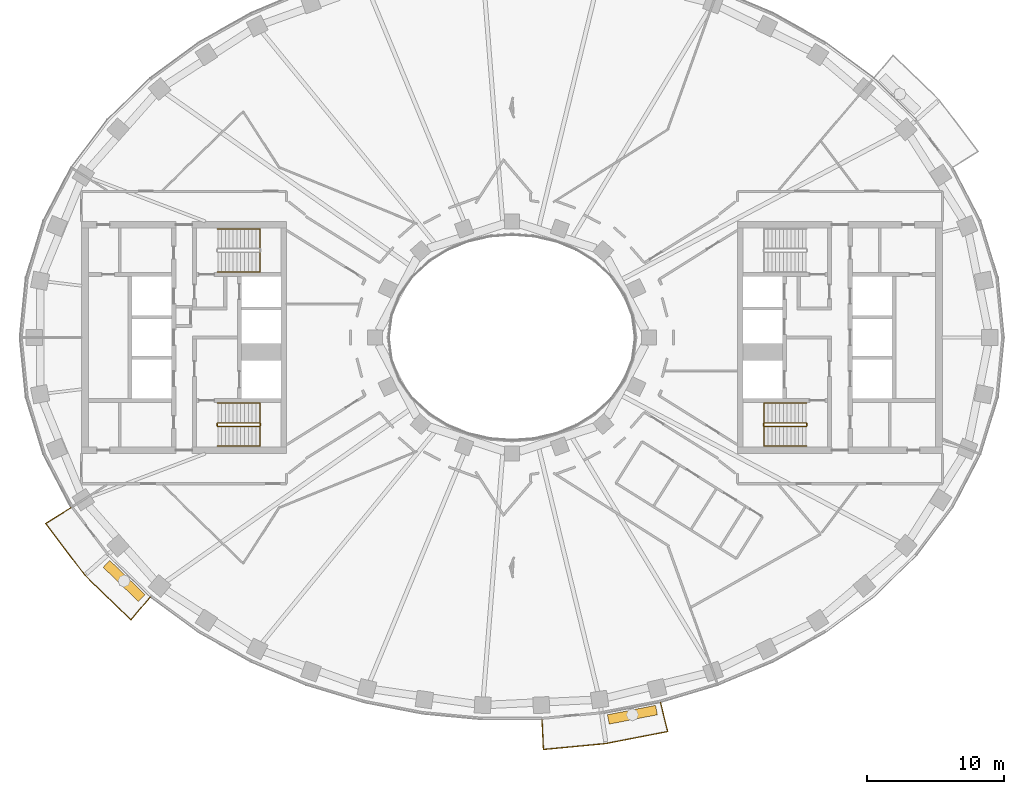
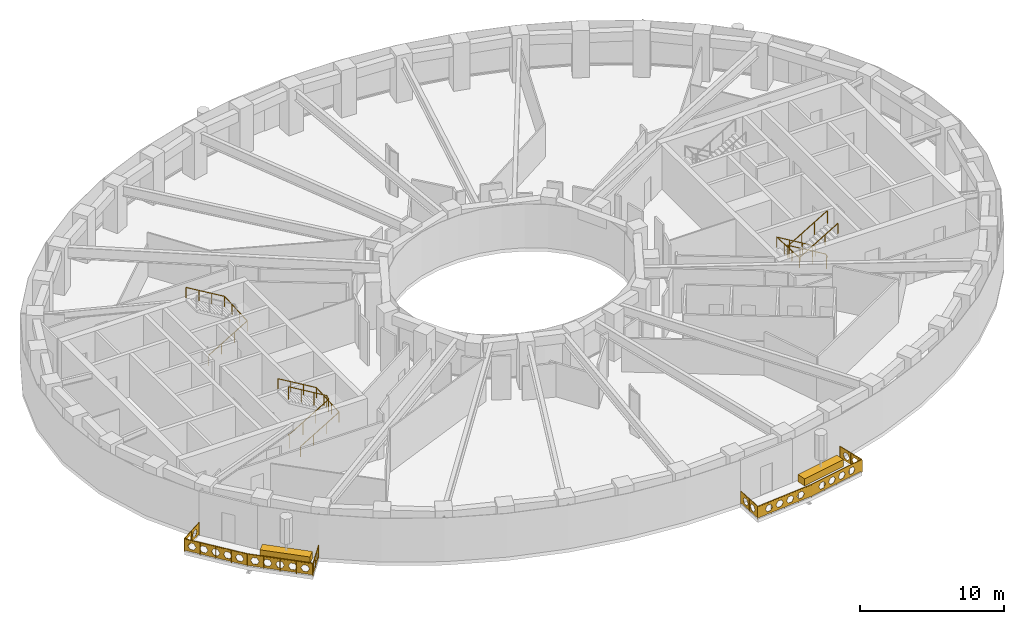
# One storey, part 14 of 16: 7 railings, 2 coverings.
"""IFC4 building model written with IfcOpenShell, lengths in metres."""

from ifc_helpers import new_model, si_unit, direction, frame, origin, origin_2d, place, context, subcontext, project, spatial, polyline, rectangle, outline, extrude, material, type_object, element, save


model = new_model("IFC4")

# Units and contexts
model_context = context("Model", 3, precision=1e-05, world=origin(), true_north=direction((0.0, 1.0)))
body_context = subcontext(model_context, "Body", "Model", "MODEL_VIEW")
ifc_project = project(units=[si_unit("LENGTHUNIT", "METRE"), si_unit("AREAUNIT", "SQUARE_METRE"), si_unit("VOLUMEUNIT", "CUBIC_METRE"), si_unit("PLANEANGLEUNIT", "RADIAN"), si_unit("MASSUNIT", "GRAM", prefix="KILO")], contexts=[model_context])

# Site, building, storey
site_placement = place(None, origin())
site = spatial("IfcSite", under=ifc_project, at=site_placement, CompositionType="ELEMENT")
building_placement = place(site_placement, origin())
building = spatial("IfcBuilding", under=site, at=building_placement, Name="Noorbagh Ring Tower", CompositionType="ELEMENT")
storey_placement = place(building_placement, frame((0.0, 0.0, 162.0)))
storey = spatial("IfcBuildingStorey", under=building, at=storey_placement, Name="L37", CompositionType="ELEMENT", Elevation=162.0)

# Railings
ifc_material_1 = material(Name="Stainless steel", Category="steel")
railing_type_1 = type_object("IfcRailingType", Name="CORE-STAIR-GUARD", PredefinedType="GUARDRAIL", material=ifc_material_1)
railing_1_placement = place(storey_placement, frame((-21.580078125, -6.449951171875, 0.0)))
element("IfcRailing", 1, at=railing_1_placement, inside=storey, type_object=railing_type_1, Name="L37 ST2 stair guard", PredefinedType="GUARDRAIL", context=body_context, shape_type="SweptSolid", body=[
    extrude(rectangle(XDim=0.048095703125, YDim=0.048095703125, at=origin_2d()), frame((0.0, 0.0, 1.076171875), z_axis=(0.0, 1.0, 0.0), x_axis=(-1.0, 0.0, 0.0)), (0.0, 0.0, 1.0), 0.14990234375),
    extrude(rectangle(XDim=0.048095703125, YDim=0.048095703125, at=origin_2d()), frame((0.0, 0.14990234375, 1.076171875), z_axis=(0.188775798145, -0.754182335027, 0.628945707965), x_axis=(0.970072785993, 0.242814311512, 0.0)), (0.0, 0.0, 1.0), 0.26513671875),
    extrude(rectangle(XDim=0.048095703125, YDim=0.048095703125, at=origin_2d()), frame((0.050048828125, -0.050048828125, 1.24267578125), z_axis=(0.859308565015, 0.0, 0.511457515432), x_axis=(0.0, 1.0, 0.0)), (0.0, 0.0, 1.0), 3.58447265625),
    extrude(rectangle(XDim=0.048095703125, YDim=0.048095703125, at=origin_2d()), frame((3.130126953125, -0.050048828125, 3.076171875), z_axis=(0.707106781187, 0.707106781187, 0.0), x_axis=(-0.707106781187, 0.707106781187, 0.0)), (0.0, 0.0, 1.0), 0.07080078125),
    extrude(rectangle(XDim=0.048095703125, YDim=0.048095703125, at=origin_2d()), frame((3.18017578125, 0.0, 3.076171875), z_axis=(0.0, 1.0, 0.0), x_axis=(-1.0, 0.0, 0.0)), (0.0, 0.0, 1.0), 0.14990234375),
    extrude(rectangle(XDim=0.048095703125, YDim=0.048095703125, at=origin_2d()), frame((3.18017578125, 0.14990234375, 3.076171875), z_axis=(-0.27628659633, 0.27628659633, 0.920506074601), x_axis=(-0.707106781187, -0.707106781187, 0.0)), (0.0, 0.0, 1.0), 0.18115234375),
    extrude(rectangle(XDim=0.048095703125, YDim=0.048095703125, at=origin_2d()), frame((3.130126953125, 0.199951171875, 3.24267578125), z_axis=(-0.859308565015, 0.0, 0.511457515432), x_axis=(0.0, -1.0, 0.0)), (0.0, 0.0, 1.0), 3.58447265625),
    extrude(rectangle(XDim=0.0419921875, YDim=0.0419921875, at=origin_2d()), origin(), (0.0, 0.0, 1.0), 1.052001953125),
    extrude(rectangle(XDim=0.0419921875, YDim=0.0419921875, at=origin_2d()), frame((1.07666015625, -0.050048828125, 0.77783203125)), (0.0, 0.0, 1.0), 1.052001953125),
    extrude(rectangle(XDim=0.0419921875, YDim=0.0419921875, at=origin_2d()), frame((2.103515625, -0.050048828125, 1.388916015625)), (0.0, 0.0, 1.0), 1.052001953125),
    extrude(rectangle(XDim=0.0419921875, YDim=0.0419921875, at=origin_2d()), frame((3.130126953125, -0.050048828125, 2.0)), (0.0, 0.0, 1.0), 1.052001953125),
    extrude(rectangle(XDim=0.0419921875, YDim=0.0419921875, at=origin_2d()), frame((3.130126953125, 0.199951171875, 2.166748046875)), (0.0, 0.0, 1.0), 1.052001953125),
    extrude(rectangle(XDim=0.0419921875, YDim=0.0419921875, at=origin_2d()), frame((2.103515625, 0.199951171875, 2.77783203125)), (0.0, 0.0, 1.0), 1.052001953125),
    extrude(rectangle(XDim=0.0419921875, YDim=0.0419921875, at=origin_2d()), frame((1.07666015625, 0.199951171875, 3.388916015625)), (0.0, 0.0, 1.0), 1.052001953125),
    extrude(rectangle(XDim=0.0419921875, YDim=0.0419921875, at=origin_2d()), frame((0.050048828125, 0.199951171875, 4.0)), (0.0, 0.0, 1.0), 1.052001953125),
])
railing_2_placement = place(storey_placement, frame((21.580078125, -6.300048828125, 0.0)))
element("IfcRailing", 2, at=railing_2_placement, inside=storey, type_object=railing_type_1, Name="L37 ST4 stair guard", PredefinedType="GUARDRAIL", context=body_context, shape_type="SweptSolid", body=[
    extrude(rectangle(XDim=0.048095703125, YDim=0.048095703125, at=origin_2d()), frame((0.0, 0.0, 1.076171875), z_axis=(0.0, -1.0, 0.0), x_axis=(1.0, 0.0, 0.0)), (0.0, 0.0, 1.0), 0.14990234375),
    extrude(rectangle(XDim=0.048095703125, YDim=0.048095703125, at=origin_2d()), frame((0.0, -0.14990234375, 1.076171875), z_axis=(-0.188775798145, 0.754182335027, 0.628945707965), x_axis=(-0.970072785993, -0.242814311512, 0.0)), (0.0, 0.0, 1.0), 0.26513671875),
    extrude(rectangle(XDim=0.048095703125, YDim=0.048095703125, at=origin_2d()), frame((-0.050048828125, 0.050048828125, 1.24267578125), z_axis=(-0.859308565015, 0.0, 0.511457515432), x_axis=(0.0, -1.0, 0.0)), (0.0, 0.0, 1.0), 3.58447265625),
    extrude(rectangle(XDim=0.048095703125, YDim=0.048095703125, at=origin_2d()), frame((-3.130126953125, 0.050048828125, 3.076171875), z_axis=(-0.707106781187, -0.707106781187, 0.0), x_axis=(0.707106781187, -0.707106781187, 0.0)), (0.0, 0.0, 1.0), 0.07080078125),
    extrude(rectangle(XDim=0.048095703125, YDim=0.048095703125, at=origin_2d()), frame((-3.18017578125, 0.0, 3.076171875), z_axis=(0.0, -1.0, 0.0), x_axis=(1.0, 0.0, 0.0)), (0.0, 0.0, 1.0), 0.14990234375),
    extrude(rectangle(XDim=0.048095703125, YDim=0.048095703125, at=origin_2d()), frame((-3.18017578125, -0.14990234375, 3.076171875), z_axis=(0.27628659633, -0.27628659633, 0.920506074601), x_axis=(0.707106781187, 0.707106781187, 0.0)), (0.0, 0.0, 1.0), 0.18115234375),
    extrude(rectangle(XDim=0.048095703125, YDim=0.048095703125, at=origin_2d()), frame((-3.130126953125, -0.199951171875, 3.24267578125), z_axis=(0.859308565015, 0.0, 0.511457515432), x_axis=(0.0, 1.0, 0.0)), (0.0, 0.0, 1.0), 3.58447265625),
    extrude(rectangle(XDim=0.0419921875, YDim=0.0419921875, at=origin_2d()), origin(), (0.0, 0.0, 1.0), 1.052001953125),
    extrude(rectangle(XDim=0.0419921875, YDim=0.0419921875, at=origin_2d()), frame((-1.07666015625, 0.050048828125, 0.77783203125)), (0.0, 0.0, 1.0), 1.052001953125),
    extrude(rectangle(XDim=0.0419921875, YDim=0.0419921875, at=origin_2d()), frame((-2.103515625, 0.050048828125, 1.388916015625)), (0.0, 0.0, 1.0), 1.052001953125),
    extrude(rectangle(XDim=0.0419921875, YDim=0.0419921875, at=origin_2d()), frame((-3.130126953125, 0.050048828125, 2.0)), (0.0, 0.0, 1.0), 1.052001953125),
    extrude(rectangle(XDim=0.0419921875, YDim=0.0419921875, at=origin_2d()), frame((-3.130126953125, -0.199951171875, 2.166748046875)), (0.0, 0.0, 1.0), 1.052001953125),
    extrude(rectangle(XDim=0.0419921875, YDim=0.0419921875, at=origin_2d()), frame((-2.103515625, -0.199951171875, 2.77783203125)), (0.0, 0.0, 1.0), 1.052001953125),
    extrude(rectangle(XDim=0.0419921875, YDim=0.0419921875, at=origin_2d()), frame((-1.07666015625, -0.199951171875, 3.388916015625)), (0.0, 0.0, 1.0), 1.052001953125),
    extrude(rectangle(XDim=0.0419921875, YDim=0.0419921875, at=origin_2d()), frame((-0.050048828125, -0.199951171875, 4.0)), (0.0, 0.0, 1.0), 1.052001953125),
])
ifc_material_2 = material(Name="Stainless steel", Category="steel")
railing_type_2 = type_object("IfcRailingType", Name="CORE-STAIR-HANDRAIL", PredefinedType="HANDRAIL", material=ifc_material_2)
railing_3_placement = place(storey_placement, frame((-21.530029296875, 4.800048828125, 0.166748046875)))
element("IfcRailing", 3, at=railing_3_placement, inside=storey, type_object=railing_type_2, Name="L37 ST1 stair handrail", PredefinedType="HANDRAIL", context=body_context, shape_type="SweptSolid", body=[
    extrude(rectangle(XDim=0.048095703125, YDim=0.048095703125, at=origin_2d()), frame((0.0, 0.0, 0.8759765625), z_axis=(0.859308565015, 0.0, 0.511457515432), x_axis=(0.0, 1.0, 0.0)), (0.0, 0.0, 1.0), 3.58447265625),
    extrude(rectangle(XDim=0.048095703125, YDim=0.048095703125, at=origin_2d()), frame((3.080078125, 0.0, 2.708984375), z_axis=(0.0, 0.998601747152, 0.052863509014), x_axis=(-1.0, 0.0, 0.0)), (0.0, 0.0, 1.0), 3.154296875),
    extrude(rectangle(XDim=0.048095703125, YDim=0.048095703125, at=origin_2d()), frame((3.080078125, 3.14990234375, 2.8759765625), z_axis=(-0.859308565015, 0.0, 0.511457515432), x_axis=(0.0, -1.0, 0.0)), (0.0, 0.0, 1.0), 3.58447265625),
    extrude(rectangle(XDim=0.0419921875, YDim=0.0419921875, at=origin_2d()), origin(), (0.0, 0.0, 1.0), 0.851806640625),
    extrude(rectangle(XDim=0.0419921875, YDim=0.0419921875, at=origin_2d()), frame((1.026611328125, 0.0, 0.611083984375)), (0.0, 0.0, 1.0), 0.851806640625),
    extrude(rectangle(XDim=0.0419921875, YDim=0.0419921875, at=origin_2d()), frame((2.053466796875, 0.0, 1.22216796875)), (0.0, 0.0, 1.0), 0.851806640625),
    extrude(rectangle(XDim=0.0419921875, YDim=0.0419921875, at=origin_2d()), frame((3.080078125, 0.0, 1.833251953125)), (0.0, 0.0, 1.0), 0.851806640625),
    extrude(rectangle(XDim=0.0419921875, YDim=0.0419921875, at=origin_2d()), frame((3.080078125, 1.050048828125, 1.888916015625)), (0.0, 0.0, 1.0), 0.851806640625),
    extrude(rectangle(XDim=0.0419921875, YDim=0.0419921875, at=origin_2d()), frame((3.080078125, 2.099853515625, 1.9443359375)), (0.0, 0.0, 1.0), 0.851806640625),
    extrude(rectangle(XDim=0.0419921875, YDim=0.0419921875, at=origin_2d()), frame((3.080078125, 3.14990234375, 2.0)), (0.0, 0.0, 1.0), 0.851806640625),
    extrude(rectangle(XDim=0.0419921875, YDim=0.0419921875, at=origin_2d()), frame((2.053466796875, 3.14990234375, 2.611083984375)), (0.0, 0.0, 1.0), 0.851806640625),
    extrude(rectangle(XDim=0.0419921875, YDim=0.0419921875, at=origin_2d()), frame((1.026611328125, 3.14990234375, 3.22216796875)), (0.0, 0.0, 1.0), 0.851806640625),
    extrude(rectangle(XDim=0.0419921875, YDim=0.0419921875, at=origin_2d()), frame((0.0, 3.14990234375, 3.833251953125)), (0.0, 0.0, 1.0), 0.851806640625),
])
railing_4_placement = place(storey_placement, frame((-21.530029296875, -7.949951171875, 0.166748046875)))
element("IfcRailing", 4, at=railing_4_placement, inside=storey, type_object=railing_type_2, Name="L37 ST2 stair handrail", PredefinedType="HANDRAIL", context=body_context, shape_type="SweptSolid", body=[
    extrude(rectangle(XDim=0.048095703125, YDim=0.048095703125, at=origin_2d()), frame((0.0, 0.0, 0.8759765625), z_axis=(0.859308565015, 0.0, 0.511457515432), x_axis=(0.0, 1.0, 0.0)), (0.0, 0.0, 1.0), 3.58447265625),
    extrude(rectangle(XDim=0.048095703125, YDim=0.048095703125, at=origin_2d()), frame((3.080078125, 0.0, 2.708984375), z_axis=(0.0, 0.998601747152, 0.052863509014), x_axis=(-1.0, 0.0, 0.0)), (0.0, 0.0, 1.0), 3.154296875),
    extrude(rectangle(XDim=0.048095703125, YDim=0.048095703125, at=origin_2d()), frame((3.080078125, 3.14990234375, 2.8759765625), z_axis=(-0.859308565015, 0.0, 0.511457515432), x_axis=(0.0, -1.0, 0.0)), (0.0, 0.0, 1.0), 3.58447265625),
    extrude(rectangle(XDim=0.0419921875, YDim=0.0419921875, at=origin_2d()), origin(), (0.0, 0.0, 1.0), 0.851806640625),
    extrude(rectangle(XDim=0.0419921875, YDim=0.0419921875, at=origin_2d()), frame((1.026611328125, 0.0, 0.611083984375)), (0.0, 0.0, 1.0), 0.851806640625),
    extrude(rectangle(XDim=0.0419921875, YDim=0.0419921875, at=origin_2d()), frame((2.053466796875, 0.0, 1.22216796875)), (0.0, 0.0, 1.0), 0.851806640625),
    extrude(rectangle(XDim=0.0419921875, YDim=0.0419921875, at=origin_2d()), frame((3.080078125, 0.0, 1.833251953125)), (0.0, 0.0, 1.0), 0.851806640625),
    extrude(rectangle(XDim=0.0419921875, YDim=0.0419921875, at=origin_2d()), frame((3.080078125, 1.050048828125, 1.888916015625)), (0.0, 0.0, 1.0), 0.851806640625),
    extrude(rectangle(XDim=0.0419921875, YDim=0.0419921875, at=origin_2d()), frame((3.080078125, 2.099853515625, 1.9443359375)), (0.0, 0.0, 1.0), 0.851806640625),
    extrude(rectangle(XDim=0.0419921875, YDim=0.0419921875, at=origin_2d()), frame((3.080078125, 3.14990234375, 2.0)), (0.0, 0.0, 1.0), 0.851806640625),
    extrude(rectangle(XDim=0.0419921875, YDim=0.0419921875, at=origin_2d()), frame((2.053466796875, 3.14990234375, 2.611083984375)), (0.0, 0.0, 1.0), 0.851806640625),
    extrude(rectangle(XDim=0.0419921875, YDim=0.0419921875, at=origin_2d()), frame((1.026611328125, 3.14990234375, 3.22216796875)), (0.0, 0.0, 1.0), 0.851806640625),
    extrude(rectangle(XDim=0.0419921875, YDim=0.0419921875, at=origin_2d()), frame((0.0, 3.14990234375, 3.833251953125)), (0.0, 0.0, 1.0), 0.851806640625),
])
railing_5_placement = place(storey_placement, frame((21.530029296875, -4.800048828125, 0.166748046875)))
element("IfcRailing", 5, at=railing_5_placement, inside=storey, type_object=railing_type_2, Name="L37 ST4 stair handrail", PredefinedType="HANDRAIL", context=body_context, shape_type="SweptSolid", body=[
    extrude(rectangle(XDim=0.048095703125, YDim=0.048095703125, at=origin_2d()), frame((0.0, 0.0, 0.8759765625), z_axis=(-0.859308565015, 0.0, 0.511457515432), x_axis=(0.0, -1.0, 0.0)), (0.0, 0.0, 1.0), 3.58447265625),
    extrude(rectangle(XDim=0.048095703125, YDim=0.048095703125, at=origin_2d()), frame((-3.080078125, 0.0, 2.708984375), z_axis=(0.0, -0.998601747152, 0.052863509014), x_axis=(1.0, 0.0, 0.0)), (0.0, 0.0, 1.0), 3.154296875),
    extrude(rectangle(XDim=0.048095703125, YDim=0.048095703125, at=origin_2d()), frame((-3.080078125, -3.14990234375, 2.8759765625), z_axis=(0.859308565015, 0.0, 0.511457515432), x_axis=(0.0, 1.0, 0.0)), (0.0, 0.0, 1.0), 3.58447265625),
    extrude(rectangle(XDim=0.0419921875, YDim=0.0419921875, at=origin_2d()), origin(), (0.0, 0.0, 1.0), 0.851806640625),
    extrude(rectangle(XDim=0.0419921875, YDim=0.0419921875, at=origin_2d()), frame((-1.026611328125, 0.0, 0.611083984375)), (0.0, 0.0, 1.0), 0.851806640625),
    extrude(rectangle(XDim=0.0419921875, YDim=0.0419921875, at=origin_2d()), frame((-2.053466796875, 0.0, 1.22216796875)), (0.0, 0.0, 1.0), 0.851806640625),
    extrude(rectangle(XDim=0.0419921875, YDim=0.0419921875, at=origin_2d()), frame((-3.080078125, 0.0, 1.833251953125)), (0.0, 0.0, 1.0), 0.851806640625),
    extrude(rectangle(XDim=0.0419921875, YDim=0.0419921875, at=origin_2d()), frame((-3.080078125, -1.050048828125, 1.888916015625)), (0.0, 0.0, 1.0), 0.851806640625),
    extrude(rectangle(XDim=0.0419921875, YDim=0.0419921875, at=origin_2d()), frame((-3.080078125, -2.099853515625, 1.9443359375)), (0.0, 0.0, 1.0), 0.851806640625),
    extrude(rectangle(XDim=0.0419921875, YDim=0.0419921875, at=origin_2d()), frame((-3.080078125, -3.14990234375, 2.0)), (0.0, 0.0, 1.0), 0.851806640625),
    extrude(rectangle(XDim=0.0419921875, YDim=0.0419921875, at=origin_2d()), frame((-2.053466796875, -3.14990234375, 2.611083984375)), (0.0, 0.0, 1.0), 0.851806640625),
    extrude(rectangle(XDim=0.0419921875, YDim=0.0419921875, at=origin_2d()), frame((-1.026611328125, -3.14990234375, 3.22216796875)), (0.0, 0.0, 1.0), 0.851806640625),
    extrude(rectangle(XDim=0.0419921875, YDim=0.0419921875, at=origin_2d()), frame((0.0, -3.14990234375, 3.833251953125)), (0.0, 0.0, 1.0), 0.851806640625),
])
ifc_material_3 = material(Name="Steel S275 black powder-coated", Category="steel")
railing_type_3 = type_object("IfcRailingType", Name="ENV-GUARD", PredefinedType="GUARDRAIL", material=ifc_material_3)
railing_6_placement = place(storey_placement, frame((-32.255126953125, -12.434814453125, 0.0)))
element("IfcRailing", 6, at=railing_6_placement, inside=storey, type_object=railing_type_3, Name="Balcony guard BS01", PredefinedType="GUARDRAIL", context=body_context, shape_type="SweptSolid", body=[
    extrude(rectangle(XDim=0.048095703125, YDim=0.048095703125, at=origin_2d()), frame((0.0, 0.0, 1.076171875), z_axis=(-0.844852397829, -0.534999463442, 0.0), x_axis=(0.534999463442, -0.844852397829, 0.0)), (0.0, 0.0, 1.0), 2.207763671875),
    extrude(rectangle(XDim=0.048095703125, YDim=0.048095703125, at=origin_2d()), frame((-1.865234375, -1.18115234375, 1.076171875), z_axis=(0.604001613322, -0.796983093362, 0.0), x_axis=(0.796983093362, 0.604001613322, 0.0)), (0.0, 0.0, 1.0), 4.7353515625),
    extrude(rectangle(XDim=0.048095703125, YDim=0.048095703125, at=origin_2d()), frame((0.994873046875, -4.955078125, 1.076171875), z_axis=(0.717212632946, -0.696854388766, 0.0), x_axis=(0.696854388766, 0.717212632946, 0.0)), (0.0, 0.0, 1.0), 4.700927734375),
    extrude(rectangle(XDim=0.048095703125, YDim=0.048095703125, at=origin_2d()), frame((4.366455078125, -8.23095703125, 1.076171875), z_axis=(0.646413574048, 0.762987215677, 0.0), x_axis=(-0.762987215677, 0.646413574048, 0.0)), (0.0, 0.0, 1.0), 2.205322265625),
    extrude(rectangle(XDim=0.0419921875, YDim=0.0419921875, at=origin_2d()), origin(), (0.0, 0.0, 1.0), 1.052001953125),
    extrude(rectangle(XDim=0.0419921875, YDim=0.0419921875, at=origin_2d()), frame((-0.9326171875, -0.590576171875, 0.0)), (0.0, 0.0, 1.0), 1.052001953125),
    extrude(rectangle(XDim=0.0419921875, YDim=0.0419921875, at=origin_2d()), frame((-1.865234375, -1.18115234375, 0.0)), (0.0, 0.0, 1.0), 1.052001953125),
    extrude(rectangle(XDim=0.0419921875, YDim=0.0419921875, at=origin_2d()), frame((-1.150146484375, -2.12451171875, 0.0)), (0.0, 0.0, 1.0), 1.052001953125),
    extrude(rectangle(XDim=0.0419921875, YDim=0.0419921875, at=origin_2d()), frame((-0.43505859375, -3.068115234375, 0.0)), (0.0, 0.0, 1.0), 1.052001953125),
    extrude(rectangle(XDim=0.0419921875, YDim=0.0419921875, at=origin_2d()), frame((0.27978515625, -4.01171875, 0.0)), (0.0, 0.0, 1.0), 1.052001953125),
    extrude(rectangle(XDim=0.0419921875, YDim=0.0419921875, at=origin_2d()), frame((0.994873046875, -4.955078125, 0.0)), (0.0, 0.0, 1.0), 1.052001953125),
    extrude(rectangle(XDim=0.0419921875, YDim=0.0419921875, at=origin_2d()), frame((1.837890625, -5.77392578125, 0.0)), (0.0, 0.0, 1.0), 1.052001953125),
    extrude(rectangle(XDim=0.0419921875, YDim=0.0419921875, at=origin_2d()), frame((2.6806640625, -6.593017578125, 0.0)), (0.0, 0.0, 1.0), 1.052001953125),
    extrude(rectangle(XDim=0.0419921875, YDim=0.0419921875, at=origin_2d()), frame((3.5234375, -7.412109375, 0.0)), (0.0, 0.0, 1.0), 1.052001953125),
    extrude(rectangle(XDim=0.0419921875, YDim=0.0419921875, at=origin_2d()), frame((4.366455078125, -8.23095703125, 0.0)), (0.0, 0.0, 1.0), 1.052001953125),
    extrude(rectangle(XDim=0.0419921875, YDim=0.0419921875, at=origin_2d()), frame((5.0791015625, -7.3896484375, 0.0)), (0.0, 0.0, 1.0), 1.052001953125),
    extrude(rectangle(XDim=0.0419921875, YDim=0.0419921875, at=origin_2d()), frame((5.7919921875, -6.54833984375, 0.0)), (0.0, 0.0, 1.0), 1.052001953125),
    extrude(outline(polyline([(0.0, 0.10009765625), (2.207763671875, 0.10009765625), (2.207763671875, 1.031982421875), (0.0, 1.031982421875), (0.0, 0.10009765625)]), holes=[polyline([(0.9638671875, 0.56591796875), (0.808837890625, 0.83447265625), (0.498779296875, 0.83447265625), (0.343994140625, 0.56591796875), (0.498779296875, 0.297607421875), (0.808837890625, 0.297607421875), (0.9638671875, 0.56591796875)]), polyline([(1.86376953125, 0.56591796875), (1.708984375, 0.83447265625), (1.39892578125, 0.83447265625), (1.243896484375, 0.56591796875), (1.39892578125, 0.297607421875), (1.708984375, 0.297607421875), (1.86376953125, 0.56591796875)])]), frame((0.00537109375, -0.008544921875, 0.0), z_axis=(-0.534999463442, 0.844852397829, 0.0), x_axis=(-0.844852397829, -0.534999463442, 0.0)), (0.0, 0.0, 1.0), 0.02001953125),
    extrude(outline(polyline([(0.0, 0.10009765625), (4.7353515625, 0.10009765625), (4.7353515625, 1.031982421875), (0.0, 1.031982421875), (0.0, 0.10009765625)]), holes=[polyline([(0.877685546875, 0.56591796875), (0.72265625, 0.83447265625), (0.41259765625, 0.83447265625), (0.257568359375, 0.56591796875), (0.41259765625, 0.297607421875), (0.72265625, 0.297607421875), (0.877685546875, 0.56591796875)]), polyline([(1.777587890625, 0.56591796875), (1.62255859375, 0.83447265625), (1.312744140625, 0.83447265625), (1.15771484375, 0.56591796875), (1.312744140625, 0.297607421875), (1.62255859375, 0.297607421875), (1.777587890625, 0.56591796875)]), polyline([(2.677734375, 0.56591796875), (2.522705078125, 0.83447265625), (2.212646484375, 0.83447265625), (2.0576171875, 0.56591796875), (2.212646484375, 0.297607421875), (2.522705078125, 0.297607421875), (2.677734375, 0.56591796875)]), polyline([(3.57763671875, 0.56591796875), (3.422607421875, 0.83447265625), (3.112548828125, 0.83447265625), (2.95751953125, 0.56591796875), (3.112548828125, 0.297607421875), (3.422607421875, 0.297607421875), (3.57763671875, 0.56591796875)]), polyline([(4.4775390625, 0.56591796875), (4.32275390625, 0.83447265625), (4.0126953125, 0.83447265625), (3.857666015625, 0.56591796875), (4.0126953125, 0.297607421875), (4.32275390625, 0.297607421875), (4.4775390625, 0.56591796875)])]), frame((-1.857177734375, -1.175048828125, 0.0), z_axis=(-0.796983093362, -0.604001613322, 0.0), x_axis=(0.604001613322, -0.796983093362, 0.0)), (0.0, 0.0, 1.0), 0.02001953125),
    extrude(outline(polyline([(0.0, 0.10009765625), (4.700927734375, 0.10009765625), (4.700927734375, 1.031982421875), (0.0, 1.031982421875), (0.0, 0.10009765625)]), holes=[polyline([(0.860595703125, 0.56591796875), (0.70556640625, 0.83447265625), (0.3955078125, 0.83447265625), (0.240478515625, 0.56591796875), (0.3955078125, 0.297607421875), (0.70556640625, 0.297607421875), (0.860595703125, 0.56591796875)]), polyline([(1.760498046875, 0.56591796875), (1.60546875, 0.83447265625), (1.29541015625, 0.83447265625), (1.140380859375, 0.56591796875), (1.29541015625, 0.297607421875), (1.60546875, 0.297607421875), (1.760498046875, 0.56591796875)]), polyline([(2.660400390625, 0.56591796875), (2.50537109375, 0.83447265625), (2.195556640625, 0.83447265625), (2.04052734375, 0.56591796875), (2.195556640625, 0.297607421875), (2.50537109375, 0.297607421875), (2.660400390625, 0.56591796875)]), polyline([(3.560546875, 0.56591796875), (3.405517578125, 0.83447265625), (3.095458984375, 0.83447265625), (2.9404296875, 0.56591796875), (3.095458984375, 0.297607421875), (3.405517578125, 0.297607421875), (3.560546875, 0.56591796875)]), polyline([(4.46044921875, 0.56591796875), (4.305419921875, 0.83447265625), (3.995361328125, 0.83447265625), (3.840576171875, 0.56591796875), (3.995361328125, 0.297607421875), (4.305419921875, 0.297607421875), (4.46044921875, 0.56591796875)])]), frame((1.001953125, -4.947998046875, 0.0), z_axis=(-0.696854388766, -0.717212632946, 0.0), x_axis=(0.717212632946, -0.696854388766, 0.0)), (0.0, 0.0, 1.0), 0.02001953125),
    extrude(outline(polyline([(0.0, 0.10009765625), (2.205322265625, 0.10009765625), (2.205322265625, 1.031982421875), (0.0, 1.031982421875), (0.0, 0.10009765625)]), holes=[polyline([(0.962646484375, 0.56591796875), (0.8076171875, 0.83447265625), (0.49755859375, 0.83447265625), (0.342529296875, 0.56591796875), (0.49755859375, 0.297607421875), (0.8076171875, 0.297607421875), (0.962646484375, 0.56591796875)]), polyline([(1.862548828125, 0.56591796875), (1.707763671875, 0.83447265625), (1.397705078125, 0.83447265625), (1.24267578125, 0.56591796875), (1.397705078125, 0.297607421875), (1.707763671875, 0.297607421875), (1.862548828125, 0.56591796875)])]), frame((4.35888671875, -8.224609375, 0.0), z_axis=(0.762987215677, -0.646413574048, 0.0), x_axis=(0.646413574048, 0.762987215677, 0.0)), (0.0, 0.0, 1.0), 0.02001953125),
])
railing_7_placement = place(storey_placement, frame((2.193115234375, -27.947998046875, 0.0)))
element("IfcRailing", 7, at=railing_7_placement, inside=storey, type_object=railing_type_3, Name="Balcony guard BS04", PredefinedType="GUARDRAIL", context=body_context, shape_type="SweptSolid", body=[
    extrude(rectangle(XDim=0.048095703125, YDim=0.048095703125, at=origin_2d()), frame((0.0, 0.0, 1.076171875), z_axis=(0.047554616162, -0.998868639252, 0.0), x_axis=(0.998868639252, 0.047554616162, 0.0)), (0.0, 0.0, 1.0), 2.202392578125),
    extrude(rectangle(XDim=0.048095703125, YDim=0.048095703125, at=origin_2d()), frame((0.104736328125, -2.199951171875, 1.076171875), z_axis=(0.995477555764, 0.094997031379, 0.0), x_axis=(-0.094997031379, 0.995477555764, 0.0)), (0.0, 0.0, 1.0), 4.59765625),
    extrude(rectangle(XDim=0.048095703125, YDim=0.048095703125, at=origin_2d()), frame((4.681640625, -1.76318359375, 1.076171875), z_axis=(0.981625049064, 0.1908199755, 0.0), x_axis=(-0.1908199755, 0.981625049064, 0.0)), (0.0, 0.0, 1.0), 4.603271484375),
    extrude(rectangle(XDim=0.048095703125, YDim=0.048095703125, at=origin_2d()), frame((9.200439453125, -0.884765625, 1.076171875), z_axis=(-0.239848558412, 0.970810315679, 0.0), x_axis=(-0.970810315679, -0.239848558412, 0.0)), (0.0, 0.0, 1.0), 2.20263671875),
    extrude(rectangle(XDim=0.0419921875, YDim=0.0419921875, at=origin_2d()), origin(), (0.0, 0.0, 1.0), 1.052001953125),
    extrude(rectangle(XDim=0.0419921875, YDim=0.0419921875, at=origin_2d()), frame((0.05224609375, -1.10009765625, 0.0)), (0.0, 0.0, 1.0), 1.052001953125),
    extrude(rectangle(XDim=0.0419921875, YDim=0.0419921875, at=origin_2d()), frame((0.104736328125, -2.199951171875, 0.0)), (0.0, 0.0, 1.0), 1.052001953125),
    extrude(rectangle(XDim=0.0419921875, YDim=0.0419921875, at=origin_2d()), frame((1.2490234375, -2.0908203125, 0.0)), (0.0, 0.0, 1.0), 1.052001953125),
    extrude(rectangle(XDim=0.0419921875, YDim=0.0419921875, at=origin_2d()), frame((2.39306640625, -1.9814453125, 0.0)), (0.0, 0.0, 1.0), 1.052001953125),
    extrude(rectangle(XDim=0.0419921875, YDim=0.0419921875, at=origin_2d()), frame((3.537353515625, -1.872314453125, 0.0)), (0.0, 0.0, 1.0), 1.052001953125),
    extrude(rectangle(XDim=0.0419921875, YDim=0.0419921875, at=origin_2d()), frame((4.681640625, -1.76318359375, 0.0)), (0.0, 0.0, 1.0), 1.052001953125),
    extrude(rectangle(XDim=0.0419921875, YDim=0.0419921875, at=origin_2d()), frame((5.811279296875, -1.54345703125, 0.0)), (0.0, 0.0, 1.0), 1.052001953125),
    extrude(rectangle(XDim=0.0419921875, YDim=0.0419921875, at=origin_2d()), frame((6.94091796875, -1.323974609375, 0.0)), (0.0, 0.0, 1.0), 1.052001953125),
    extrude(rectangle(XDim=0.0419921875, YDim=0.0419921875, at=origin_2d()), frame((8.07080078125, -1.1044921875, 0.0)), (0.0, 0.0, 1.0), 1.052001953125),
    extrude(rectangle(XDim=0.0419921875, YDim=0.0419921875, at=origin_2d()), frame((9.200439453125, -0.884765625, 0.0)), (0.0, 0.0, 1.0), 1.052001953125),
    extrude(rectangle(XDim=0.0419921875, YDim=0.0419921875, at=origin_2d()), frame((8.936279296875, 0.1845703125, 0.0)), (0.0, 0.0, 1.0), 1.052001953125),
    extrude(rectangle(XDim=0.0419921875, YDim=0.0419921875, at=origin_2d()), frame((8.672119140625, 1.253662109375, 0.0)), (0.0, 0.0, 1.0), 1.052001953125),
    extrude(outline(polyline([(0.0, 0.10009765625), (2.202392578125, 0.10009765625), (2.202392578125, 1.031982421875), (0.0, 1.031982421875), (0.0, 0.10009765625)]), holes=[polyline([(0.961181640625, 0.56591796875), (0.80615234375, 0.83447265625), (0.496337890625, 0.83447265625), (0.34130859375, 0.56591796875), (0.496337890625, 0.297607421875), (0.80615234375, 0.297607421875), (0.961181640625, 0.56591796875)]), polyline([(1.861328125, 0.56591796875), (1.706298828125, 0.83447265625), (1.396240234375, 0.83447265625), (1.2412109375, 0.56591796875), (1.396240234375, 0.297607421875), (1.706298828125, 0.297607421875), (1.861328125, 0.56591796875)])]), frame((0.010009765625, 0.00048828125, 0.0), z_axis=(-0.998868639252, -0.047554616162, 0.0), x_axis=(0.047554616162, -0.998868639252, 0.0)), (0.0, 0.0, 1.0), 0.02001953125),
    extrude(outline(polyline([(0.0, 0.10009765625), (4.59765625, 0.10009765625), (4.59765625, 1.031982421875), (0.0, 1.031982421875), (0.0, 0.10009765625)]), holes=[polyline([(1.2587890625, 0.56591796875), (1.103759765625, 0.83447265625), (0.7939453125, 0.83447265625), (0.638916015625, 0.56591796875), (0.7939453125, 0.297607421875), (1.103759765625, 0.297607421875), (1.2587890625, 0.56591796875)]), polyline([(2.158935546875, 0.56591796875), (2.00390625, 0.83447265625), (1.69384765625, 0.83447265625), (1.538818359375, 0.56591796875), (1.69384765625, 0.297607421875), (2.00390625, 0.297607421875), (2.158935546875, 0.56591796875)]), polyline([(3.058837890625, 0.56591796875), (2.90380859375, 0.83447265625), (2.59375, 0.83447265625), (2.43896484375, 0.56591796875), (2.59375, 0.297607421875), (2.90380859375, 0.297607421875), (3.058837890625, 0.56591796875)]), polyline([(3.958740234375, 0.56591796875), (3.803955078125, 0.83447265625), (3.493896484375, 0.83447265625), (3.3388671875, 0.56591796875), (3.493896484375, 0.297607421875), (3.803955078125, 0.297607421875), (3.958740234375, 0.56591796875)])]), frame((0.103759765625, -2.18994140625, 0.0), z_axis=(0.094997031379, -0.995477555764, 0.0), x_axis=(0.995477555764, 0.094997031379, 0.0)), (0.0, 0.0, 1.0), 0.02001953125),
    extrude(outline(polyline([(0.0, 0.10009765625), (4.603271484375, 0.10009765625), (4.603271484375, 1.031982421875), (0.0, 1.031982421875), (0.0, 0.10009765625)]), holes=[polyline([(1.26171875, 0.56591796875), (1.106689453125, 0.83447265625), (0.796630859375, 0.83447265625), (0.6416015625, 0.56591796875), (0.796630859375, 0.297607421875), (1.106689453125, 0.297607421875), (1.26171875, 0.56591796875)]), polyline([(2.16162109375, 0.56591796875), (2.006591796875, 0.83447265625), (1.69677734375, 0.83447265625), (1.541748046875, 0.56591796875), (1.69677734375, 0.297607421875), (2.006591796875, 0.297607421875), (2.16162109375, 0.56591796875)]), polyline([(3.061767578125, 0.56591796875), (2.90673828125, 0.83447265625), (2.5966796875, 0.83447265625), (2.441650390625, 0.56591796875), (2.5966796875, 0.297607421875), (2.90673828125, 0.297607421875), (3.061767578125, 0.56591796875)]), polyline([(3.961669921875, 0.56591796875), (3.806640625, 0.83447265625), (3.49658203125, 0.83447265625), (3.341796875, 0.56591796875), (3.49658203125, 0.297607421875), (3.806640625, 0.297607421875), (3.961669921875, 0.56591796875)])]), frame((4.6796875, -1.75341796875, 0.0), z_axis=(0.1908199755, -0.981625049064, 0.0), x_axis=(0.981625049064, 0.1908199755, 0.0)), (0.0, 0.0, 1.0), 0.02001953125),
    extrude(outline(polyline([(0.0, 0.10009765625), (2.20263671875, 0.10009765625), (2.20263671875, 1.031982421875), (0.0, 1.031982421875), (0.0, 0.10009765625)]), holes=[polyline([(0.96142578125, 0.56591796875), (0.806396484375, 0.83447265625), (0.496337890625, 0.83447265625), (0.34130859375, 0.56591796875), (0.496337890625, 0.297607421875), (0.806396484375, 0.297607421875), (0.96142578125, 0.56591796875)]), polyline([(1.861328125, 0.56591796875), (1.706298828125, 0.83447265625), (1.396240234375, 0.83447265625), (1.241455078125, 0.56591796875), (1.396240234375, 0.297607421875), (1.706298828125, 0.297607421875), (1.861328125, 0.56591796875)])]), frame((9.190673828125, -0.88720703125, 0.0), z_axis=(0.970810315679, 0.239848558412, 0.0), x_axis=(-0.239848558412, 0.970810315679, 0.0)), (0.0, 0.0, 1.0), 0.02001953125),
])

# Coverings
ifc_material_4 = material(Name="Concrete C30/37 planter with soil", Category="concrete")
covering_type = type_object("IfcCoveringType", Name="ENV-PLANTER", PredefinedType="CLADDING", material=ifc_material_4)
covering_1_placement = place(storey_placement, frame((-28.3837890625, -17.814208984375, 0.0), z_axis=(0.0, 0.0, 1.0), x_axis=(0.717224548362, -0.696842125038, 0.0)))
element("IfcCovering", 8, at=covering_1_placement, inside=storey, type_object=covering_type, Name="PLANTER BS01", ObjectType="PLANTER", PredefinedType="CLADDING", context=body_context, shape_type="SweptSolid", body=[
    extrude(rectangle(XDim=3.584228515625, YDim=0.699951171875, at=origin_2d()), origin(), (0.0, 0.0, 1.0), 0.60009765625),
])
covering_2_placement = place(storey_placement, frame((8.807861328125, -27.603515625, 0.0), z_axis=(0.0, 0.0, 1.0), x_axis=(0.981624952922, 0.190820470077, 0.0)))
element("IfcCovering", 9, at=covering_2_placement, inside=storey, type_object=covering_type, Name="PLANTER BS04", ObjectType="PLANTER", PredefinedType="CLADDING", context=body_context, shape_type="SweptSolid", body=[
    extrude(rectangle(XDim=3.586181640625, YDim=0.699951171875, at=origin_2d()), origin(), (0.0, 0.0, 1.0), 0.60009765625),
])

save(model, "model.ifc")
